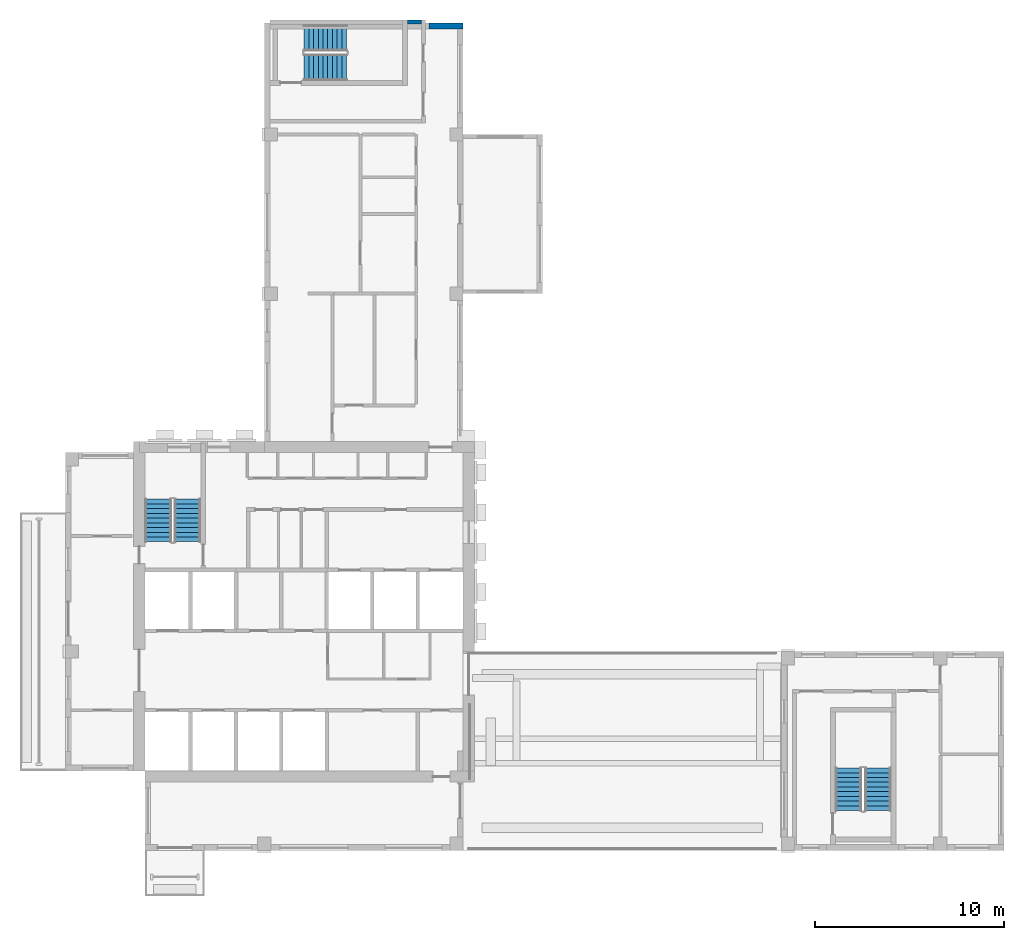
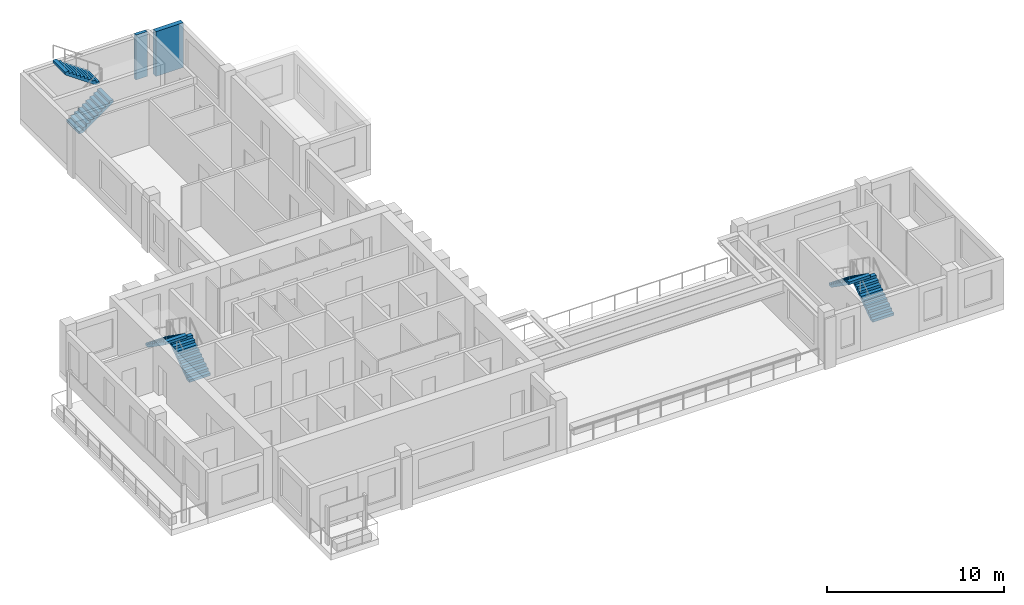
# One storey, part 6 of 10: 6 stair flights, 2 walls, 3 elements without a shape of their own.
"""IFC4 building model written with IfcOpenShell, lengths in metres."""

from ifc_helpers import new_model, si_unit, direction, frame, frame_2d, origin, place, context, subcontext, project, spatial, polyline, rectangle, outline, extrude, source, transform, mapped, material, layer, layer_set, type_object, element, aggregate, save


model = new_model("IFC4")

# Units and contexts
model_context = context("Model", 3, precision=1e-05, world=origin(), true_north=direction((0.0, 1.0)))
body_context = subcontext(model_context, "Body", "Model", "MODEL_VIEW")
ifc_project = project(units=[si_unit("LENGTHUNIT", "METRE"), si_unit("AREAUNIT", "SQUARE_METRE"), si_unit("VOLUMEUNIT", "CUBIC_METRE"), si_unit("PLANEANGLEUNIT", "RADIAN"), si_unit("MASSUNIT", "GRAM", prefix="KILO")], contexts=[model_context])

# Site, building, storey
site_placement = place(None, origin())
site = spatial("IfcSite", under=ifc_project, at=site_placement, CompositionType="ELEMENT")
building_placement = place(site_placement, origin())
building = spatial("IfcBuilding", under=site, at=building_placement, Name="Aurelian Terraces", CompositionType="ELEMENT")
storey_placement = place(building_placement, frame((0.0, 0.0, 291.5)))
storey = spatial("IfcBuildingStorey", under=building, at=storey_placement, Name="L66", CompositionType="ELEMENT", Elevation=291.5)

# Walls
ifc_material_1 = material(Name="Terracotta rainscreen cladding", Category="masonry")
ifc_layer_1 = layer(ifc_material_1, 0.3)
ifc_layer_set_1 = layer_set([ifc_layer_1], Name="EW-300")
wall_type_1 = type_object("IfcWallType", Name="EW-300", PredefinedType="STANDARD", material=ifc_layer_set_1)
shared_shape_1 = source(origin(), body_context, "Body", "SweptSolid", [
    extrude(rectangle(XDim=1.8, YDim=0.3, at=frame_2d((0.9, 0.0))), origin(), (0.0, 0.0, 1.0), 3.1),
])
wall_1_placement = place(storey_placement, frame((21.0, 43.53, 0.0), z_axis=(0.0, 0.0, 1.0), x_axis=(-1.0, 0.0, 0.0)))
element("IfcWall", 1, at=wall_1_placement, inside=storey, type_object=wall_type_1, Name="External wall L66 F03.10", PredefinedType="STANDARD", context=body_context, shape_type="MappedRepresentation", body=[
    mapped(shared_shape_1, transform((0.0, 0.0, 0.0), scale=1.0)),
])
ifc_material_2 = material(Name="Gypsum board on steel studs", Category="steel")
ifc_layer_2 = layer(ifc_material_2, 0.2)
ifc_layer_set_2 = layer_set([ifc_layer_2], Name="Core partition 200")
wall_type_2 = type_object("IfcWallType", Name="Core partition 200", PredefinedType="PARTITIONING", material=ifc_layer_set_2)
shared_shape_2 = source(origin(), body_context, "Body", "SweptSolid", [
    extrude(rectangle(XDim=0.75, YDim=0.2, at=frame_2d((0.375, 0.0))), origin(), (0.0, 0.0, 1.0), 3.1),
])
wall_2_placement = place(storey_placement, frame((18.05, 43.75, 0.0), z_axis=(0.0, 0.0, 1.0), x_axis=(1.0, 0.0, 0.0)))
element("IfcWall", 2, at=wall_2_placement, inside=storey, type_object=wall_type_2, Name="L66 core wall ST-S3U-RE", PredefinedType="PARTITIONING", context=body_context, shape_type="MappedRepresentation", body=[
    mapped(shared_shape_2, transform((0.0, 0.0, 0.0), scale=1.0)),
])

# Stair, stair flights
ifc_material_3 = material(Name="Concrete fc' 40 MPa", Category="concrete")
stair_type = type_object("IfcStairType", Name="Stair 1400", PredefinedType="HALF_TURN_STAIR", material=ifc_material_3)
stair_1_placement = place(storey_placement, origin())
stair_1 = element("IfcStair", 3, at=stair_1_placement, inside=storey, type_object=stair_type, Name="L66 S1", PredefinedType="HALF_TURN_STAIR")
stair_flight_type = type_object("IfcStairFlightType", Name="Stair flight 1400", PredefinedType="STRAIGHT", material=ifc_material_3)
shared_shape_3 = source(origin(), body_context, "Body", "SweptSolid", [
    extrude(outline(polyline([(0.0, 0.0), (0.0, 0.175), (0.25, 0.175), (0.25, 0.35), (0.5, 0.35), (0.5, 0.525), (0.75, 0.525), (0.75, 0.7), (1.0, 0.7), (1.0, 0.875), (1.25, 0.875), (1.25, 1.05), (1.5, 1.05), (1.5, 1.225), (1.75, 1.225), (1.75, 1.4), (2.0, 1.4), (2.0, 1.575), (2.25, 1.575), (2.25, 1.75), (2.25, 1.3919), (0.2616, 0.0), (0.0, 0.0)])), frame((0.0, 0.7, 0.0), z_axis=(0.0, -1.0, 0.0), x_axis=(1.0, 0.0, 0.0)), (0.0, 0.0, 1.0), 1.4),
])
stair_flight_1_placement = place(storey_placement, frame((6.45, 16.3, 2e-08), z_axis=(0.0, 0.0, 1.0), x_axis=(0.0, 1.0, 0.0)))
stair_flight_1 = element("IfcStairFlight", 4, at=stair_flight_1_placement, type_object=stair_flight_type, Name="S1 flight 1", NumberOfRisers=10, NumberOfTreads=9, PredefinedType="STRAIGHT", RiserHeight=0.175, TreadLength=0.25, context=body_context, shape_type="MappedRepresentation", body=[
    mapped(shared_shape_3, transform((0.0, 0.0, 0.0), scale=1.0)),
])
stair_flight_2_placement = place(storey_placement, frame((4.9, 18.55, 1.75000002), z_axis=(0.0, 0.0, 1.0), x_axis=(0.0, -1.0, 0.0)))
stair_flight_2 = element("IfcStairFlight", 5, at=stair_flight_2_placement, type_object=stair_flight_type, Name="S1 flight 2", NumberOfRisers=10, NumberOfTreads=9, PredefinedType="STRAIGHT", RiserHeight=0.175, TreadLength=0.25, context=body_context, shape_type="MappedRepresentation", body=[
    mapped(shared_shape_3, transform((0.0, 0.0, 0.0), scale=1.0)),
])
aggregate(stair_1, [stair_flight_1, stair_flight_2])

stair_2_placement = place(storey_placement, origin())
stair_2 = element("IfcStair", 6, at=stair_2_placement, inside=storey, type_object=stair_type, Name="L66 S2", PredefinedType="HALF_TURN_STAIR")
stair_flight_3_placement = place(storey_placement, frame((42.9, 2.1, 2e-08), z_axis=(0.0, 0.0, 1.0), x_axis=(0.0, 1.0, 0.0)))
stair_flight_3 = element("IfcStairFlight", 7, at=stair_flight_3_placement, type_object=stair_flight_type, Name="S2 flight 1", NumberOfRisers=10, NumberOfTreads=9, PredefinedType="STRAIGHT", RiserHeight=0.175, TreadLength=0.25, context=body_context, shape_type="MappedRepresentation", body=[
    mapped(shared_shape_3, transform((0.0, 0.0, 0.0), scale=1.0)),
])
stair_flight_4_placement = place(storey_placement, frame((41.35, 4.35, 1.75000002), z_axis=(0.0, 0.0, 1.0), x_axis=(0.0, -1.0, 0.0)))
stair_flight_4 = element("IfcStairFlight", 8, at=stair_flight_4_placement, type_object=stair_flight_type, Name="S2 flight 2", NumberOfRisers=10, NumberOfTreads=9, PredefinedType="STRAIGHT", RiserHeight=0.175, TreadLength=0.25, context=body_context, shape_type="MappedRepresentation", body=[
    mapped(shared_shape_3, transform((0.0, 0.0, 0.0), scale=1.0)),
])
aggregate(stair_2, [stair_flight_3, stair_flight_4])

stair_3_placement = place(storey_placement, origin())
stair_3 = element("IfcStair", 9, at=stair_3_placement, inside=storey, type_object=stair_type, Name="L66 S3U", PredefinedType="HALF_TURN_STAIR")
stair_flight_5_placement = place(storey_placement, frame((12.6, 41.35, 2e-08), z_axis=(0.0, 0.0, 1.0), x_axis=(1.0, 0.0, 0.0)))
stair_flight_5 = element("IfcStairFlight", 10, at=stair_flight_5_placement, type_object=stair_flight_type, Name="S3U flight 1", NumberOfRisers=10, NumberOfTreads=9, PredefinedType="STRAIGHT", RiserHeight=0.175, TreadLength=0.25, context=body_context, shape_type="MappedRepresentation", body=[
    mapped(shared_shape_3, transform((0.0, 0.0, 0.0), scale=1.0)),
])
stair_flight_6_placement = place(storey_placement, frame((14.85, 42.9, 1.75000002), z_axis=(0.0, 0.0, 1.0), x_axis=(-1.0, 0.0, 0.0)))
stair_flight_6 = element("IfcStairFlight", 11, at=stair_flight_6_placement, type_object=stair_flight_type, Name="S3U flight 2", NumberOfRisers=10, NumberOfTreads=9, PredefinedType="STRAIGHT", RiserHeight=0.175, TreadLength=0.25, context=body_context, shape_type="MappedRepresentation", body=[
    mapped(shared_shape_3, transform((0.0, 0.0, 0.0), scale=1.0)),
])
aggregate(stair_3, [stair_flight_5, stair_flight_6])

save(model, "model.ifc")
